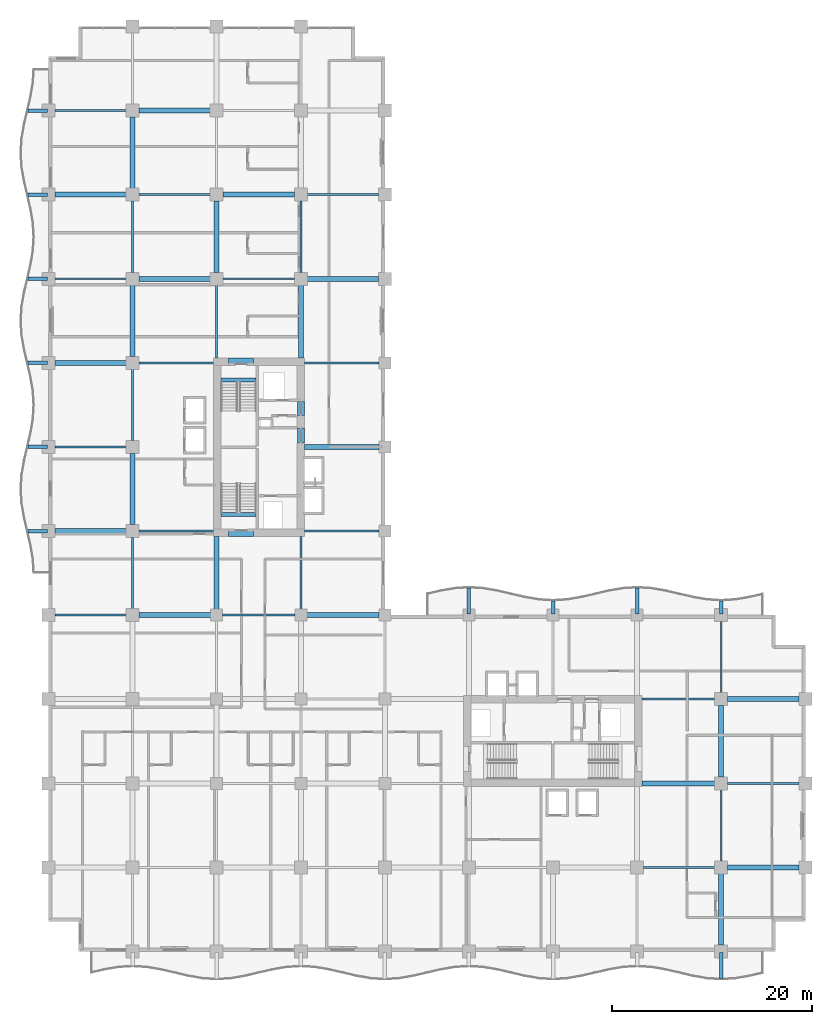
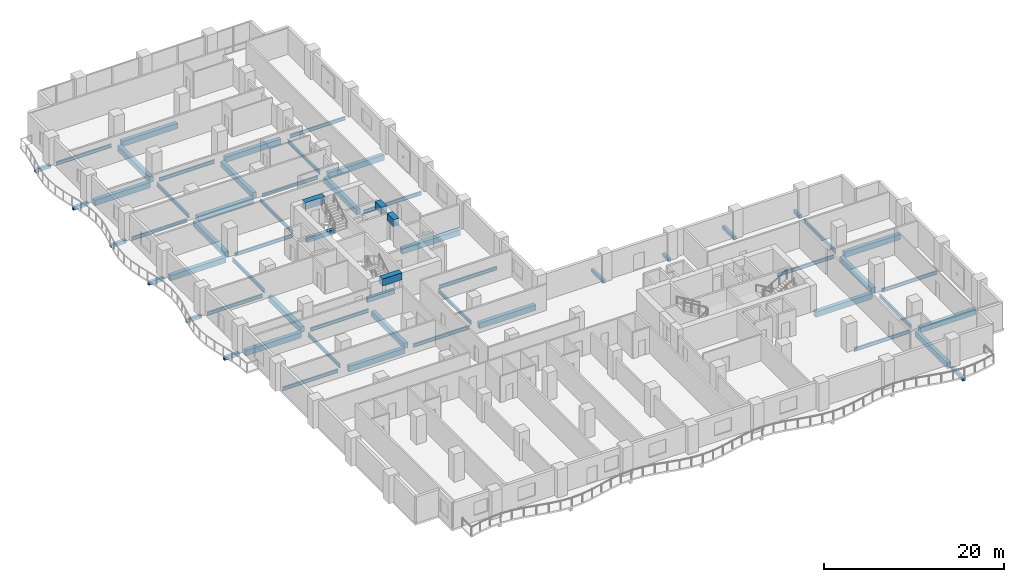
# One storey, part 2 of 20: 61 beams.
"""IFC4 building model written with IfcOpenShell, lengths in metres."""

from ifc_helpers import new_model, si_unit, direction, frame, origin, origin_2d, place, context, subcontext, project, spatial, rectangle, i_section, extrude, material, material_profile, profile_set, type_object, element, save


model = new_model("IFC4")

# Units and contexts
model_context = context("Model", 3, precision=1e-05, world=origin(), true_north=direction((0.0, 1.0)))
body_context = subcontext(model_context, "Body", "Model", "MODEL_VIEW")
ifc_project = project(units=[si_unit("LENGTHUNIT", "METRE"), si_unit("AREAUNIT", "SQUARE_METRE"), si_unit("VOLUMEUNIT", "CUBIC_METRE"), si_unit("PLANEANGLEUNIT", "RADIAN"), si_unit("MASSUNIT", "GRAM", prefix="KILO")], contexts=[model_context])

# Site, building, storey
site_placement = place(None, origin())
site = spatial("IfcSite", under=ifc_project, at=site_placement, CompositionType="ELEMENT")
building_placement = place(site_placement, origin())
building = spatial("IfcBuilding", under=site, at=building_placement, Name="Koriwani Terraces Tower", CompositionType="ELEMENT")
storey_placement = place(building_placement, frame((0.0, 0.0, 126.60009765625)))
storey = spatial("IfcBuildingStorey", under=building, at=storey_placement, Name="L30", CompositionType="ELEMENT", Elevation=126.60009765625)

# Beams
ifc_material_1 = material(Name="Concrete C40/50", Category="concrete")
ifc_material_profile_1 = material_profile(ifc_material_1, rectangle(XDim=0.35009765625, YDim=0.449951171875, at=origin_2d()), Name="Concrete C40/50", Category="LoadBearing")
ifc_profile_set_1 = profile_set([ifc_material_profile_1], Name="Concrete C40/50")
beam_type_1 = type_object("IfcBeamType", Name="BEAM_RC_BALCONY_RIB_350X450", PredefinedType="JOIST", material=ifc_profile_set_1)
beam_1_placement = place(storey_placement, frame((67.199951171875, -2.699951171875, -0.47509765625), z_axis=(0.0, 1.0, 0.0), x_axis=(-1.0, 0.0, 0.0)))
element("IfcBeam", 1, at=beam_1_placement, inside=storey, type_object=beam_type_1, Name="L30 Balcony Bracket Rib S-8", PredefinedType="JOIST", context=body_context, shape_type="SweptSolid", body=[
    extrude(rectangle(XDim=0.35009765625, YDim=0.449951171875, at=origin_2d()), origin(), (0.0, 0.0, 1.0), 2.599853515625),
])
for number, where, z_axis, x_axis, name in (
    (2, (-2.050048828125, 42.0, -0.47509765625), (1.0, 0.0, 0.0), (0.0, 1.0, 0.0), "L30 Balcony Bracket Rib W-1"),
    (3, (-2.050048828125, 50.39990234375, -0.47509765625), (1.0, 0.0, 0.0), (0.0, 1.0, 0.0), "L30 Balcony Bracket Rib W-2"),
    (4, (-2.050048828125, 58.800048828125, -0.47509765625), (1.0, 0.0, 0.0), (0.0, 1.0, 0.0), "L30 Balcony Bracket Rib W-3"),
    (5, (-2.050048828125, 67.199951171875, -0.47509765625), (1.0, 0.0, 0.0), (0.0, 1.0, 0.0), "L30 Balcony Bracket Rib W-4"),
    (6, (-2.050048828125, 75.60009765625, -0.47509765625), (1.0, 0.0, 0.0), (0.0, 1.0, 0.0), "L30 Balcony Bracket Rib W-5"),
    (7, (-2.050048828125, 84.0, -0.47509765625), (1.0, 0.0, 0.0), (0.0, 1.0, 0.0), "L30 Balcony Bracket Rib W-6"),
):
    element("IfcBeam", number, at=place(storey_placement, frame(where, z_axis=z_axis, x_axis=x_axis)), inside=storey, type_object=beam_type_1, Name=name, PredefinedType="JOIST", context=body_context, shape_type="SweptSolid", body=[
        extrude(rectangle(XDim=0.35009765625, YDim=0.449951171875, at=origin_2d()), origin(), (0.0, 0.0, 1.0), 1.949951171875),
    ])
beam_2_placement = place(storey_placement, frame((42.0, 33.699951171875, -0.47509765625), z_axis=(0.0, 1.0, 0.0), x_axis=(-1.0, 0.0, 0.0)))
element("IfcBeam", 8, at=beam_2_placement, inside=storey, type_object=beam_type_1, Name="L30 Balcony Bracket Rib NE-1", PredefinedType="JOIST", context=body_context, shape_type="SweptSolid", body=[
    extrude(rectangle(XDim=0.35009765625, YDim=0.449951171875, at=origin_2d()), origin(), (0.0, 0.0, 1.0), 2.60009765625),
])
beam_3_placement = place(storey_placement, frame((50.39990234375, 33.699951171875, -0.47509765625), z_axis=(0.0, 1.0, 0.0), x_axis=(-1.0, 0.0, 0.0)))
element("IfcBeam", 9, at=beam_3_placement, inside=storey, type_object=beam_type_1, Name="L30 Balcony Bracket Rib NE-2", PredefinedType="JOIST", context=body_context, shape_type="SweptSolid", body=[
    extrude(rectangle(XDim=0.35009765625, YDim=0.449951171875, at=origin_2d()), origin(), (0.0, 0.0, 1.0), 1.300048828125),
])
beam_4_placement = place(storey_placement, frame((58.800048828125, 33.699951171875, -0.47509765625), z_axis=(0.0, 1.0, 0.0), x_axis=(-1.0, 0.0, 0.0)))
element("IfcBeam", 10, at=beam_4_placement, inside=storey, type_object=beam_type_1, Name="L30 Balcony Bracket Rib NE-3", PredefinedType="JOIST", context=body_context, shape_type="SweptSolid", body=[
    extrude(rectangle(XDim=0.35009765625, YDim=0.449951171875, at=origin_2d()), origin(), (0.0, 0.0, 1.0), 2.60009765625),
])
beam_5_placement = place(storey_placement, frame((67.199951171875, 33.699951171875, -0.47509765625), z_axis=(0.0, 1.0, 0.0), x_axis=(-1.0, 0.0, 0.0)))
element("IfcBeam", 11, at=beam_5_placement, inside=storey, type_object=beam_type_1, Name="L30 Balcony Bracket Rib NE-4", PredefinedType="JOIST", context=body_context, shape_type="SweptSolid", body=[
    extrude(rectangle(XDim=0.35009765625, YDim=0.449951171875, at=origin_2d()), origin(), (0.0, 0.0, 1.0), 1.300048828125),
])
ifc_material_2 = material(Name="Concrete C60/75", Category="concrete")
ifc_material_profile_2 = material_profile(ifc_material_2, rectangle(XDim=0.699951171875, YDim=0.949951171875, at=origin_2d()), Name="Concrete C60/75", Category="LoadBearing")
ifc_profile_set_2 = profile_set([ifc_material_profile_2], Name="Concrete C60/75")
beam_type_2 = type_object("IfcBeamType", Name="BEAM_RC_COUPLING_700X950", PredefinedType="LINTEL", material=ifc_profile_set_2)
beam_6_placement = place(storey_placement, frame((25.199951171875, 50.800048828125, 3.074951171875), z_axis=(0.0, 1.0, 0.0), x_axis=(-1.0, 0.0, 0.0)))
element("IfcBeam", 12, at=beam_6_placement, inside=storey, type_object=beam_type_2, Name="L30 Core Coupling Lintel Beam WE1", PredefinedType="LINTEL", context=body_context, shape_type="SweptSolid", body=[
    extrude(rectangle(XDim=0.699951171875, YDim=0.949951171875, at=origin_2d()), origin(), (0.0, 0.0, 1.0), 1.47998046875),
])
beam_7_placement = place(storey_placement, frame((25.199951171875, 53.550048828125, 3.074951171875), z_axis=(0.0, 1.0, 0.0), x_axis=(-1.0, 0.0, 0.0)))
element("IfcBeam", 13, at=beam_7_placement, inside=storey, type_object=beam_type_2, Name="L30 Core Coupling Lintel Beam WE2", PredefinedType="LINTEL", context=body_context, shape_type="SweptSolid", body=[
    extrude(rectangle(XDim=0.699951171875, YDim=0.949951171875, at=origin_2d()), origin(), (0.0, 0.0, 1.0), 1.39990234375),
])
for number, where, z_axis, x_axis, name in (
    (14, (18.0, 41.824951171875, 3.074951171875), (1.0, 0.0, 0.0), (0.0, 1.0, 0.0), "L30 Core Coupling Lintel Beam WS"),
    (15, (18.0, 58.925048828125, 3.074951171875), (1.0, 0.0, 0.0), (0.0, 1.0, 0.0), "L30 Core Coupling Lintel Beam WN"),
):
    element("IfcBeam", number, at=place(storey_placement, frame(where, z_axis=z_axis, x_axis=x_axis)), inside=storey, type_object=beam_type_2, Name=name, PredefinedType="LINTEL", context=body_context, shape_type="SweptSolid", body=[
        extrude(rectangle(XDim=0.699951171875, YDim=0.949951171875, at=origin_2d()), origin(), (0.0, 0.0, 1.0), 2.5),
    ])
ifc_material_profile_3 = material_profile(ifc_material_1, rectangle(XDim=0.39990234375, YDim=0.60009765625, at=origin_2d()), Name="Concrete C40/50", Category="LoadBearing")
ifc_profile_set_3 = profile_set([ifc_material_profile_3], Name="Concrete C40/50")
beam_type_3 = type_object("IfcBeamType", Name="BEAM_RC_GRID_400X600", PredefinedType="BEAM", material=ifc_profile_set_3)
for number, where, z_axis, x_axis, name in (
    (16, (17.25, 43.655029296875, -0.300048828125), (1.0, 0.0, 0.0), (0.0, 1.0, 0.0), "L30 Stairwell Header Trimmer Beam ST-W1"),
    (17, (17.25, 57.094970703125, -0.300048828125), (1.0, 0.0, 0.0), (0.0, 1.0, 0.0), "L30 Stairwell Header Trimmer Beam ST-W2"),
):
    element("IfcBeam", number, at=place(storey_placement, frame(where, z_axis=z_axis, x_axis=x_axis)), inside=storey, type_object=beam_type_3, Name=name, PredefinedType="BEAM", context=body_context, shape_type="SweptSolid", body=[
        extrude(rectangle(XDim=0.39990234375, YDim=0.60009765625, at=origin_2d()), origin(), (0.0, 0.0, 1.0), 3.5),
    ])
ifc_material_3 = material(Name="Concrete C50/60", Category="concrete")
ifc_material_profile_4 = material_profile(ifc_material_3, rectangle(XDim=0.5, YDim=0.75, at=origin_2d()), Name="Concrete C50/60", Category="LoadBearing")
ifc_profile_set_4 = profile_set([ifc_material_profile_4], Name="Concrete C50/60")
beam_type_4 = type_object("IfcBeamType", Name="BEAM_RC_GRID_500X750", PredefinedType="BEAM", material=ifc_profile_set_4)
beam_8_placement = place(storey_placement, frame((67.830078125, 8.39990234375, -0.625), z_axis=(1.0, 0.0, 0.0), x_axis=(0.0, 1.0, 0.0)))
element("IfcBeam", 18, at=beam_8_placement, inside=storey, type_object=beam_type_4, Name="L30 Grid Beam B (67.2-75.6m)", PredefinedType="BEAM", context=body_context, shape_type="SweptSolid", body=[
    extrude(rectangle(XDim=0.5, YDim=0.75, at=origin_2d()), origin(), (0.0, 0.0, 1.0), 7.139892578125),
])
beam_9_placement = place(storey_placement, frame((59.280029296875, 16.800048828125, -0.625), z_axis=(1.0, 0.0, 0.0), x_axis=(0.0, 1.0, 0.0)))
element("IfcBeam", 19, at=beam_9_placement, inside=storey, type_object=beam_type_4, Name="L30 Grid Beam C (58.8-67.2m)", PredefinedType="BEAM", context=body_context, shape_type="SweptSolid", body=[
    extrude(rectangle(XDim=0.5, YDim=0.75, at=origin_2d()), origin(), (0.0, 0.0, 1.0), 7.2900390625),
])
beam_10_placement = place(storey_placement, frame((67.830078125, 25.199951171875, -0.625), z_axis=(1.0, 0.0, 0.0), x_axis=(0.0, 1.0, 0.0)))
element("IfcBeam", 20, at=beam_10_placement, inside=storey, type_object=beam_type_4, Name="L30 Grid Beam D (67.2-75.6m)", PredefinedType="BEAM", context=body_context, shape_type="SweptSolid", body=[
    extrude(rectangle(XDim=0.5, YDim=0.75, at=origin_2d()), origin(), (0.0, 0.0, 1.0), 7.139892578125),
])
beam_11_placement = place(storey_placement, frame((9.030029296875, 33.60009765625, -0.625), z_axis=(1.0, 0.0, 0.0), x_axis=(0.0, 1.0, 0.0)))
element("IfcBeam", 21, at=beam_11_placement, inside=storey, type_object=beam_type_4, Name="L30 Grid Beam E (8.4-16.8m)", PredefinedType="BEAM", context=body_context, shape_type="SweptSolid", body=[
    extrude(rectangle(XDim=0.5, YDim=0.75, at=origin_2d()), origin(), (0.0, 0.0, 1.0), 7.18994140625),
])
beam_12_placement = place(storey_placement, frame((25.780029296875, 33.60009765625, -0.625), z_axis=(1.0, 0.0, 0.0), x_axis=(0.0, 1.0, 0.0)))
element("IfcBeam", 22, at=beam_12_placement, inside=storey, type_object=beam_type_4, Name="L30 Grid Beam E (25.2-33.6m)", PredefinedType="BEAM", context=body_context, shape_type="SweptSolid", body=[
    extrude(rectangle(XDim=0.5, YDim=0.75, at=origin_2d()), origin(), (0.0, 0.0, 1.0), 7.239990234375),
])
beam_13_placement = place(storey_placement, frame((0.6298828125, 42.0, -0.625), z_axis=(1.0, 0.0, 0.0), x_axis=(0.0, 1.0, 0.0)))
element("IfcBeam", 23, at=beam_13_placement, inside=storey, type_object=beam_type_4, Name="L30 Grid Beam F (0.0-8.4m)", PredefinedType="BEAM", context=body_context, shape_type="SweptSolid", body=[
    extrude(rectangle(XDim=0.5, YDim=0.75, at=origin_2d()), origin(), (0.0, 0.0, 1.0), 7.14013671875),
])
beam_14_placement = place(storey_placement, frame((25.554931640625, 50.39990234375, -0.625), z_axis=(1.0, 0.0, 0.0), x_axis=(0.0, 1.0, 0.0)))
element("IfcBeam", 24, at=beam_14_placement, inside=storey, type_object=beam_type_4, Name="L30 Grid Beam G (25.2-33.6m)", PredefinedType="BEAM", context=body_context, shape_type="SweptSolid", body=[
    extrude(rectangle(XDim=0.5, YDim=0.75, at=origin_2d()), origin(), (0.0, 0.0, 1.0), 7.465087890625),
])
beam_15_placement = place(storey_placement, frame((0.6298828125, 58.800048828125, -0.625), z_axis=(1.0, 0.0, 0.0), x_axis=(0.0, 1.0, 0.0)))
element("IfcBeam", 25, at=beam_15_placement, inside=storey, type_object=beam_type_4, Name="L30 Grid Beam H (0.0-8.4m)", PredefinedType="BEAM", context=body_context, shape_type="SweptSolid", body=[
    extrude(rectangle(XDim=0.5, YDim=0.75, at=origin_2d()), origin(), (0.0, 0.0, 1.0), 7.14013671875),
])
for number, where, z_axis, x_axis, name in (
    (26, (9.030029296875, 67.199951171875, -0.625), (1.0, 0.0, 0.0), (0.0, 1.0, 0.0), "L30 Grid Beam I (8.4-16.8m)"),
    (27, (25.830078125, 67.199951171875, -0.625), (1.0, 0.0, 0.0), (0.0, 1.0, 0.0), "L30 Grid Beam I (25.2-33.6m)"),
):
    element("IfcBeam", number, at=place(storey_placement, frame(where, z_axis=z_axis, x_axis=x_axis)), inside=storey, type_object=beam_type_4, Name=name, PredefinedType="BEAM", context=body_context, shape_type="SweptSolid", body=[
        extrude(rectangle(XDim=0.5, YDim=0.75, at=origin_2d()), origin(), (0.0, 0.0, 1.0), 7.139892578125),
    ])
for number, where, z_axis, x_axis, name in (
    (28, (0.6298828125, 75.60009765625, -0.625), (1.0, 0.0, 0.0), (0.0, 1.0, 0.0), "L30 Grid Beam J (0.0-8.4m)"),
    (29, (17.429931640625, 75.60009765625, -0.625), (1.0, 0.0, 0.0), (0.0, 1.0, 0.0), "L30 Grid Beam J (16.8-25.2m)"),
):
    element("IfcBeam", number, at=place(storey_placement, frame(where, z_axis=z_axis, x_axis=x_axis)), inside=storey, type_object=beam_type_4, Name=name, PredefinedType="BEAM", context=body_context, shape_type="SweptSolid", body=[
        extrude(rectangle(XDim=0.5, YDim=0.75, at=origin_2d()), origin(), (0.0, 0.0, 1.0), 7.14013671875),
    ])
beam_16_placement = place(storey_placement, frame((9.030029296875, 84.0, -0.625), z_axis=(1.0, 0.0, 0.0), x_axis=(0.0, 1.0, 0.0)))
element("IfcBeam", 30, at=beam_16_placement, inside=storey, type_object=beam_type_4, Name="L30 Grid Beam K (8.4-16.8m)", PredefinedType="BEAM", context=body_context, shape_type="SweptSolid", body=[
    extrude(rectangle(XDim=0.5, YDim=0.75, at=origin_2d()), origin(), (0.0, 0.0, 1.0), 7.139892578125),
])
for number, where, z_axis, x_axis, name in (
    (31, (8.39990234375, 42.6298828125, -0.625), (0.0, 1.0, 0.0), (-1.0, 0.0, 0.0), "L30 Grid Beam 2 (42.0-50.4m)"),
    (32, (8.39990234375, 59.429931640625, -0.625), (0.0, 1.0, 0.0), (-1.0, 0.0, 0.0), "L30 Grid Beam 2 (58.8-67.2m)"),
    (33, (8.39990234375, 76.22998046875, -0.625), (0.0, 1.0, 0.0), (-1.0, 0.0, 0.0), "L30 Grid Beam 2 (75.6-84.0m)"),
):
    element("IfcBeam", number, at=place(storey_placement, frame(where, z_axis=z_axis, x_axis=x_axis)), inside=storey, type_object=beam_type_4, Name=name, PredefinedType="BEAM", context=body_context, shape_type="SweptSolid", body=[
        extrude(rectangle(XDim=0.5, YDim=0.75, at=origin_2d()), origin(), (0.0, 0.0, 1.0), 7.14013671875),
    ])
beam_17_placement = place(storey_placement, frame((16.800048828125, 34.179931640625, -0.625), z_axis=(0.0, 1.0, 0.0), x_axis=(-1.0, 0.0, 0.0)))
element("IfcBeam", 34, at=beam_17_placement, inside=storey, type_object=beam_type_4, Name="L30 Grid Beam 3 (33.6-42.0m)", PredefinedType="BEAM", context=body_context, shape_type="SweptSolid", body=[
    extrude(rectangle(XDim=0.5, YDim=0.75, at=origin_2d()), origin(), (0.0, 0.0, 1.0), 7.2900390625),
])
beam_18_placement = place(storey_placement, frame((16.800048828125, 67.830078125, -0.625), z_axis=(0.0, 1.0, 0.0), x_axis=(-1.0, 0.0, 0.0)))
element("IfcBeam", 35, at=beam_18_placement, inside=storey, type_object=beam_type_4, Name="L30 Grid Beam 3 (67.2-75.6m)", PredefinedType="BEAM", context=body_context, shape_type="SweptSolid", body=[
    extrude(rectangle(XDim=0.5, YDim=0.75, at=origin_2d()), origin(), (0.0, 0.0, 1.0), 7.139892578125),
])
beam_19_placement = place(storey_placement, frame((25.199951171875, 59.280029296875, -0.625), z_axis=(0.0, 1.0, 0.0), x_axis=(-1.0, 0.0, 0.0)))
element("IfcBeam", 36, at=beam_19_placement, inside=storey, type_object=beam_type_4, Name="L30 Grid Beam 4 (58.8-67.2m)", PredefinedType="BEAM", context=body_context, shape_type="SweptSolid", body=[
    extrude(rectangle(XDim=0.5, YDim=0.75, at=origin_2d()), origin(), (0.0, 0.0, 1.0), 7.2900390625),
])
for number, where, z_axis, x_axis, name in (
    (37, (67.199951171875, 0.6298828125, -0.625), (0.0, 1.0, 0.0), (-1.0, 0.0, 0.0), "L30 Grid Beam 9 (0.0-8.4m)"),
    (38, (67.199951171875, 17.429931640625, -0.625), (0.0, 1.0, 0.0), (-1.0, 0.0, 0.0), "L30 Grid Beam 9 (16.8-25.2m)"),
):
    element("IfcBeam", number, at=place(storey_placement, frame(where, z_axis=z_axis, x_axis=x_axis)), inside=storey, type_object=beam_type_4, Name=name, PredefinedType="BEAM", context=body_context, shape_type="SweptSolid", body=[
        extrude(rectangle(XDim=0.5, YDim=0.75, at=origin_2d()), origin(), (0.0, 0.0, 1.0), 7.14013671875),
    ])
ifc_material_4 = material(Name="Steel ASTM A572 Grade 50", Category="steel")
ifc_material_profile_5 = material_profile(ifc_material_4, i_section(OverallWidth=0.193115234375, OverallDepth=0.462890625, WebThickness=0.0107421875, FlangeThickness=0.017333984375, at=origin_2d()), Name="Steel ASTM A572 Grade 50", Category="LoadBearing")
ifc_profile_set_5 = profile_set([ifc_material_profile_5], Name="Steel ASTM A572 Grade 50")
beam_type_5 = type_object("IfcBeamType", Name="STEEL_BEAM_W460X113", PredefinedType="BEAM", material=ifc_profile_set_5)
beam_20_placement = place(storey_placement, frame((59.429931640625, 8.39990234375, -0.481689453125), z_axis=(1.0, 0.0, 0.0), x_axis=(0.0, 1.0, 0.0)))
element("IfcBeam", 39, at=beam_20_placement, inside=storey, type_object=beam_type_5, Name="L30 Grid Beam B (58.8-67.2m)", PredefinedType="BEAM", context=body_context, shape_type="SweptSolid", body=[
    extrude(i_section(OverallWidth=0.193115234375, OverallDepth=0.462890625, WebThickness=0.0107421875, FlangeThickness=0.017333984375, at=origin_2d()), origin(), (0.0, 0.0, 1.0), 7.14013671875),
])
beam_21_placement = place(storey_placement, frame((67.830078125, 16.800048828125, -0.481689453125), z_axis=(1.0, 0.0, 0.0), x_axis=(0.0, 1.0, 0.0)))
element("IfcBeam", 40, at=beam_21_placement, inside=storey, type_object=beam_type_5, Name="L30 Grid Beam C (67.2-75.6m)", PredefinedType="BEAM", context=body_context, shape_type="SweptSolid", body=[
    extrude(i_section(OverallWidth=0.193115234375, OverallDepth=0.462890625, WebThickness=0.0107421875, FlangeThickness=0.017333984375, at=origin_2d()), origin(), (0.0, 0.0, 1.0), 7.139892578125),
])
beam_22_placement = place(storey_placement, frame((59.280029296875, 25.199951171875, -0.481689453125), z_axis=(1.0, 0.0, 0.0), x_axis=(0.0, 1.0, 0.0)))
element("IfcBeam", 41, at=beam_22_placement, inside=storey, type_object=beam_type_5, Name="L30 Grid Beam D (58.8-67.2m)", PredefinedType="BEAM", context=body_context, shape_type="SweptSolid", body=[
    extrude(i_section(OverallWidth=0.193115234375, OverallDepth=0.462890625, WebThickness=0.0107421875, FlangeThickness=0.017333984375, at=origin_2d()), origin(), (0.0, 0.0, 1.0), 7.2900390625),
])
beam_23_placement = place(storey_placement, frame((0.6298828125, 33.60009765625, -0.481689453125), z_axis=(1.0, 0.0, 0.0), x_axis=(0.0, 1.0, 0.0)))
element("IfcBeam", 42, at=beam_23_placement, inside=storey, type_object=beam_type_5, Name="L30 Grid Beam E (0.0-8.4m)", PredefinedType="BEAM", context=body_context, shape_type="SweptSolid", body=[
    extrude(i_section(OverallWidth=0.193115234375, OverallDepth=0.462890625, WebThickness=0.0107421875, FlangeThickness=0.017333984375, at=origin_2d()), origin(), (0.0, 0.0, 1.0), 7.14013671875),
])
beam_24_placement = place(storey_placement, frame((17.3798828125, 33.60009765625, -0.481689453125), z_axis=(1.0, 0.0, 0.0), x_axis=(0.0, 1.0, 0.0)))
element("IfcBeam", 43, at=beam_24_placement, inside=storey, type_object=beam_type_5, Name="L30 Grid Beam E (16.8-25.2m)", PredefinedType="BEAM", context=body_context, shape_type="SweptSolid", body=[
    extrude(i_section(OverallWidth=0.193115234375, OverallDepth=0.462890625, WebThickness=0.0107421875, FlangeThickness=0.017333984375, at=origin_2d()), origin(), (0.0, 0.0, 1.0), 7.240234375),
])
beam_25_placement = place(storey_placement, frame((9.030029296875, 42.0, -0.481689453125), z_axis=(1.0, 0.0, 0.0), x_axis=(0.0, 1.0, 0.0)))
element("IfcBeam", 44, at=beam_25_placement, inside=storey, type_object=beam_type_5, Name="L30 Grid Beam F (8.4-16.8m)", PredefinedType="BEAM", context=body_context, shape_type="SweptSolid", body=[
    extrude(i_section(OverallWidth=0.193115234375, OverallDepth=0.462890625, WebThickness=0.0107421875, FlangeThickness=0.017333984375, at=origin_2d()), origin(), (0.0, 0.0, 1.0), 7.489990234375),
])
beam_26_placement = place(storey_placement, frame((25.554931640625, 42.0, -0.481689453125), z_axis=(1.0, 0.0, 0.0), x_axis=(0.0, 1.0, 0.0)))
element("IfcBeam", 45, at=beam_26_placement, inside=storey, type_object=beam_type_5, Name="L30 Grid Beam F (25.2-33.6m)", PredefinedType="BEAM", context=body_context, shape_type="SweptSolid", body=[
    extrude(i_section(OverallWidth=0.193115234375, OverallDepth=0.462890625, WebThickness=0.0107421875, FlangeThickness=0.017333984375, at=origin_2d()), origin(), (0.0, 0.0, 1.0), 7.465087890625),
])
beam_27_placement = place(storey_placement, frame((0.6298828125, 50.39990234375, -0.481689453125), z_axis=(1.0, 0.0, 0.0), x_axis=(0.0, 1.0, 0.0)))
element("IfcBeam", 46, at=beam_27_placement, inside=storey, type_object=beam_type_5, Name="L30 Grid Beam G (0.0-8.4m)", PredefinedType="BEAM", context=body_context, shape_type="SweptSolid", body=[
    extrude(i_section(OverallWidth=0.193115234375, OverallDepth=0.462890625, WebThickness=0.0107421875, FlangeThickness=0.017333984375, at=origin_2d()), origin(), (0.0, 0.0, 1.0), 7.14013671875),
])
beam_28_placement = place(storey_placement, frame((9.030029296875, 58.800048828125, -0.481689453125), z_axis=(1.0, 0.0, 0.0), x_axis=(0.0, 1.0, 0.0)))
element("IfcBeam", 47, at=beam_28_placement, inside=storey, type_object=beam_type_5, Name="L30 Grid Beam H (8.4-16.8m)", PredefinedType="BEAM", context=body_context, shape_type="SweptSolid", body=[
    extrude(i_section(OverallWidth=0.193115234375, OverallDepth=0.462890625, WebThickness=0.0107421875, FlangeThickness=0.017333984375, at=origin_2d()), origin(), (0.0, 0.0, 1.0), 7.489990234375),
])
beam_29_placement = place(storey_placement, frame((25.554931640625, 58.800048828125, -0.481689453125), z_axis=(1.0, 0.0, 0.0), x_axis=(0.0, 1.0, 0.0)))
element("IfcBeam", 48, at=beam_29_placement, inside=storey, type_object=beam_type_5, Name="L30 Grid Beam H (25.2-33.6m)", PredefinedType="BEAM", context=body_context, shape_type="SweptSolid", body=[
    extrude(i_section(OverallWidth=0.193115234375, OverallDepth=0.462890625, WebThickness=0.0107421875, FlangeThickness=0.017333984375, at=origin_2d()), origin(), (0.0, 0.0, 1.0), 7.465087890625),
])
for number, where, z_axis, x_axis, name in (
    (49, (0.6298828125, 67.199951171875, -0.481689453125), (1.0, 0.0, 0.0), (0.0, 1.0, 0.0), "L30 Grid Beam I (0.0-8.4m)"),
    (50, (17.429931640625, 67.199951171875, -0.481689453125), (1.0, 0.0, 0.0), (0.0, 1.0, 0.0), "L30 Grid Beam I (16.8-25.2m)"),
):
    element("IfcBeam", number, at=place(storey_placement, frame(where, z_axis=z_axis, x_axis=x_axis)), inside=storey, type_object=beam_type_5, Name=name, PredefinedType="BEAM", context=body_context, shape_type="SweptSolid", body=[
        extrude(i_section(OverallWidth=0.193115234375, OverallDepth=0.462890625, WebThickness=0.0107421875, FlangeThickness=0.017333984375, at=origin_2d()), origin(), (0.0, 0.0, 1.0), 7.14013671875),
    ])
for number, where, z_axis, x_axis, name in (
    (51, (9.030029296875, 75.60009765625, -0.481689453125), (1.0, 0.0, 0.0), (0.0, 1.0, 0.0), "L30 Grid Beam J (8.4-16.8m)"),
    (52, (25.830078125, 75.60009765625, -0.481689453125), (1.0, 0.0, 0.0), (0.0, 1.0, 0.0), "L30 Grid Beam J (25.2-33.6m)"),
):
    element("IfcBeam", number, at=place(storey_placement, frame(where, z_axis=z_axis, x_axis=x_axis)), inside=storey, type_object=beam_type_5, Name=name, PredefinedType="BEAM", context=body_context, shape_type="SweptSolid", body=[
        extrude(i_section(OverallWidth=0.193115234375, OverallDepth=0.462890625, WebThickness=0.0107421875, FlangeThickness=0.017333984375, at=origin_2d()), origin(), (0.0, 0.0, 1.0), 7.139892578125),
    ])
for number, where, z_axis, x_axis, name in (
    (53, (0.6298828125, 84.0, -0.481689453125), (1.0, 0.0, 0.0), (0.0, 1.0, 0.0), "L30 Grid Beam K (0.0-8.4m)"),
    (54, (8.39990234375, 34.22998046875, -0.481689453125), (0.0, 1.0, 0.0), (-1.0, 0.0, 0.0), "L30 Grid Beam 2 (33.6-42.0m)"),
):
    element("IfcBeam", number, at=place(storey_placement, frame(where, z_axis=z_axis, x_axis=x_axis)), inside=storey, type_object=beam_type_5, Name=name, PredefinedType="BEAM", context=body_context, shape_type="SweptSolid", body=[
        extrude(i_section(OverallWidth=0.193115234375, OverallDepth=0.462890625, WebThickness=0.0107421875, FlangeThickness=0.017333984375, at=origin_2d()), origin(), (0.0, 0.0, 1.0), 7.14013671875),
    ])
for number, where, z_axis, x_axis, name in (
    (55, (8.39990234375, 51.030029296875, -0.481689453125), (0.0, 1.0, 0.0), (-1.0, 0.0, 0.0), "L30 Grid Beam 2 (50.4-58.8m)"),
    (56, (8.39990234375, 67.830078125, -0.481689453125), (0.0, 1.0, 0.0), (-1.0, 0.0, 0.0), "L30 Grid Beam 2 (67.2-75.6m)"),
):
    element("IfcBeam", number, at=place(storey_placement, frame(where, z_axis=z_axis, x_axis=x_axis)), inside=storey, type_object=beam_type_5, Name=name, PredefinedType="BEAM", context=body_context, shape_type="SweptSolid", body=[
        extrude(i_section(OverallWidth=0.193115234375, OverallDepth=0.462890625, WebThickness=0.0107421875, FlangeThickness=0.017333984375, at=origin_2d()), origin(), (0.0, 0.0, 1.0), 7.139892578125),
    ])
for number, where, z_axis, x_axis, name in (
    (57, (16.800048828125, 59.280029296875, -0.481689453125), (0.0, 1.0, 0.0), (-1.0, 0.0, 0.0), "L30 Grid Beam 3 (58.8-67.2m)"),
    (58, (25.199951171875, 34.179931640625, -0.481689453125), (0.0, 1.0, 0.0), (-1.0, 0.0, 0.0), "L30 Grid Beam 4 (33.6-42.0m)"),
):
    element("IfcBeam", number, at=place(storey_placement, frame(where, z_axis=z_axis, x_axis=x_axis)), inside=storey, type_object=beam_type_5, Name=name, PredefinedType="BEAM", context=body_context, shape_type="SweptSolid", body=[
        extrude(i_section(OverallWidth=0.193115234375, OverallDepth=0.462890625, WebThickness=0.0107421875, FlangeThickness=0.017333984375, at=origin_2d()), origin(), (0.0, 0.0, 1.0), 7.2900390625),
    ])
for number, where, z_axis, x_axis, name in (
    (59, (25.199951171875, 67.830078125, -0.481689453125), (0.0, 1.0, 0.0), (-1.0, 0.0, 0.0), "L30 Grid Beam 4 (67.2-75.6m)"),
    (60, (67.199951171875, 9.030029296875, -0.481689453125), (0.0, 1.0, 0.0), (-1.0, 0.0, 0.0), "L30 Grid Beam 9 (8.4-16.8m)"),
    (61, (67.199951171875, 25.830078125, -0.481689453125), (0.0, 1.0, 0.0), (-1.0, 0.0, 0.0), "L30 Grid Beam 9 (25.2-33.6m)"),
):
    element("IfcBeam", number, at=place(storey_placement, frame(where, z_axis=z_axis, x_axis=x_axis)), inside=storey, type_object=beam_type_5, Name=name, PredefinedType="BEAM", context=body_context, shape_type="SweptSolid", body=[
        extrude(i_section(OverallWidth=0.193115234375, OverallDepth=0.462890625, WebThickness=0.0107421875, FlangeThickness=0.017333984375, at=origin_2d()), origin(), (0.0, 0.0, 1.0), 7.139892578125),
    ])

save(model, "model.ifc")
